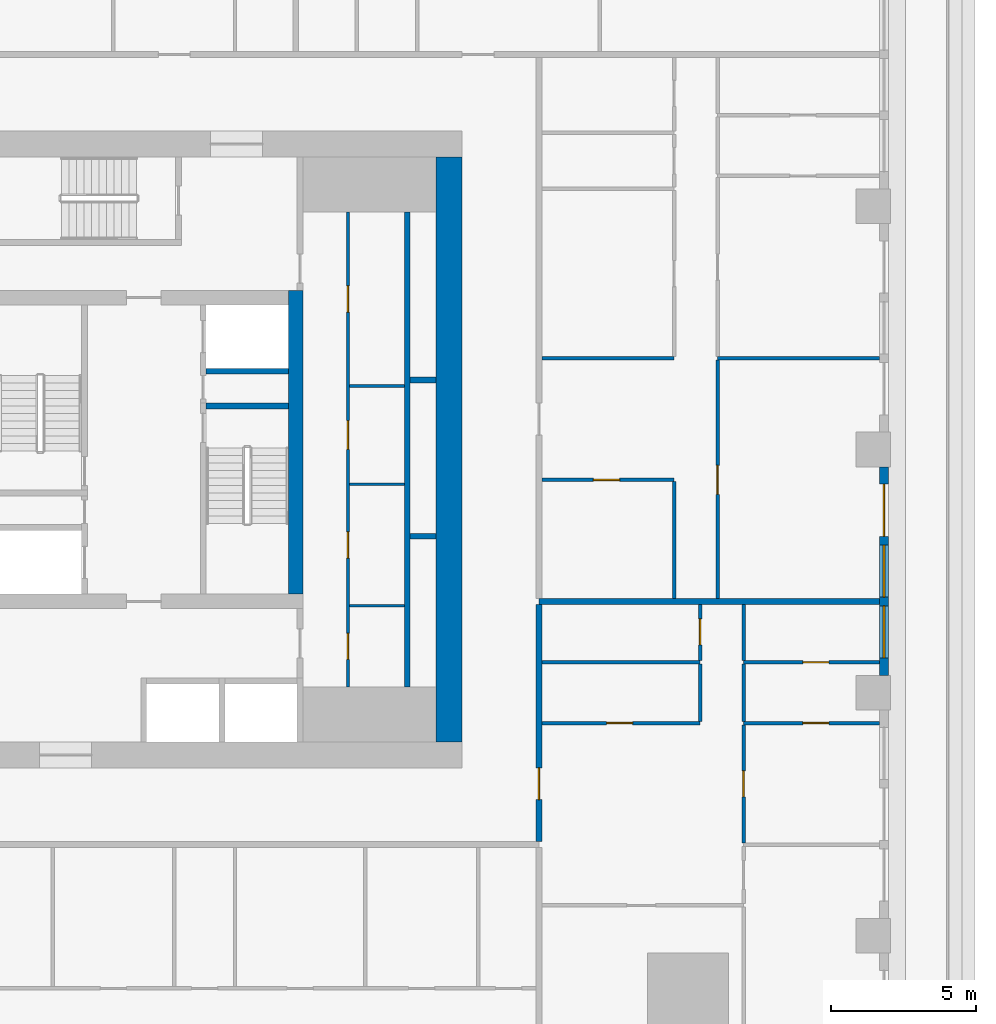
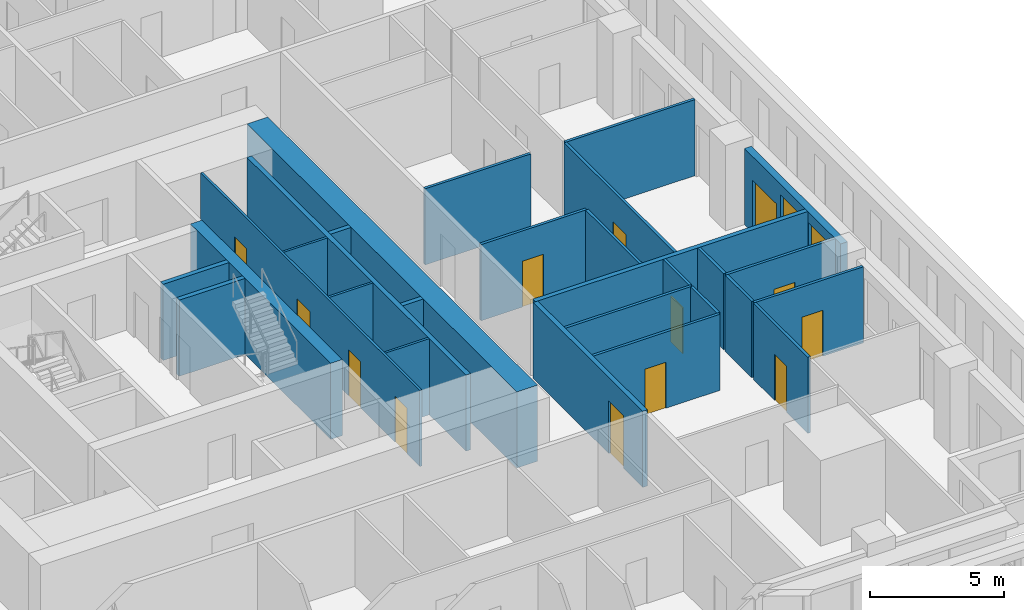
# One storey, part 6 of 16: 28 walls, 13 doors, 2 windows, 15 openings.
"""IFC4 building model written with IfcOpenShell, lengths in metres."""

from ifc_helpers import new_model, si_unit, direction, frame, frame_2d, origin, place, context, subcontext, project, spatial, rectangle, extrude, material, layer, layer_set, type_object, element, fill, save


model = new_model("IFC4")

# Units and contexts
model_context = context("Model", 3, precision=1e-05, world=origin(), true_north=direction((0.0, 1.0)))
body_context = subcontext(model_context, "Body", "Model", "MODEL_VIEW")
ifc_project = project(units=[si_unit("LENGTHUNIT", "METRE"), si_unit("AREAUNIT", "SQUARE_METRE"), si_unit("VOLUMEUNIT", "CUBIC_METRE"), si_unit("PLANEANGLEUNIT", "RADIAN"), si_unit("MASSUNIT", "GRAM", prefix="KILO")], contexts=[model_context])

# Site, building, storey
site_placement = place(None, origin())
site = spatial("IfcSite", under=ifc_project, at=site_placement, CompositionType="ELEMENT")
building_placement = place(site_placement, origin())
building = spatial("IfcBuilding", under=site, at=building_placement, Name="Khepri Terraces", CompositionType="ELEMENT")
storey_placement = place(building_placement, frame((0.0, 0.0, 79.199951171875)))
storey = spatial("IfcBuildingStorey", under=building, at=storey_placement, Name="L18", CompositionType="ELEMENT", Elevation=79.199951171875)

# Walls
ifc_material_1 = material(Name="Concrete C70/85", Category="concrete")
ifc_layer_1 = layer(ifc_material_1, 0.199951171875, Name="Concrete C70/85", Category="concrete")
ifc_layer_set_1 = layer_set([ifc_layer_1], Name="Concrete C70/85")
wall_type_1 = type_object("IfcWallType", Name="Core wall 200 C70/85", PredefinedType="SHEAR", material=ifc_layer_set_1)
wall_1_placement = place(storey_placement, frame((2.14990234375, 1.5, 0.0), z_axis=(0.0, 0.0, 1.0), x_axis=(1.0, 0.0, 0.0)))
element("IfcWall", 1, at=wall_1_placement, inside=storey, type_object=wall_type_1, Name="Core wall ST04 L18", PredefinedType="SHEAR", context=body_context, shape_type="SweptSolid", body=[
    extrude(rectangle(XDim=2.85009765625, YDim=0.199951171875, at=frame_2d((1.425048828125, 0.0))), origin(), (0.0, 0.0, 1.0), 3.47998046875),
])
wall_2_placement = place(storey_placement, frame((9.10009765625, -8.199951171875, 0.0), z_axis=(0.0, 0.0, 1.0), x_axis=(0.0, 1.0, 0.0)))
element("IfcWall", 2, at=wall_2_placement, inside=storey, type_object=wall_type_1, Name="Core wall SH05 L18", PredefinedType="SHEAR", context=body_context, shape_type="SweptSolid", body=[
    extrude(rectangle(XDim=16.39990234375, YDim=0.199951171875, at=frame_2d((8.199951171875, 0.0))), origin(), (0.0, 0.0, 1.0), 3.47998046875),
])
for number, where, z_axis, x_axis, name in (
    (3, (9.199951171875, -3.0, 0.0), (0.0, 0.0, 1.0), (1.0, 0.0, 0.0), "Core wall SH11 L18"),
    (4, (9.199951171875, 2.39990234375, 0.0), (0.0, 0.0, 1.0), (1.0, 0.0, 0.0), "Core wall SH16 L18"),
):
    element("IfcWall", number, at=place(storey_placement, frame(where, z_axis=z_axis, x_axis=x_axis)), inside=storey, type_object=wall_type_1, Name=name, PredefinedType="SHEAR", context=body_context, shape_type="SweptSolid", body=[
        extrude(rectangle(XDim=0.900146484375, YDim=0.199951171875, at=frame_2d((0.4501953125, 0.0))), origin(), (0.0, 0.0, 1.0), 3.47998046875),
    ])
wall_3_placement = place(storey_placement, frame((2.14990234375, 2.699951171875, 0.0), z_axis=(0.0, 0.0, 1.0), x_axis=(1.0, 0.0, 0.0)))
element("IfcWall", 5, at=wall_3_placement, inside=storey, type_object=wall_type_1, Name="Core wall SH18 L18", PredefinedType="SHEAR", context=body_context, shape_type="SweptSolid", body=[
    extrude(rectangle(XDim=2.85009765625, YDim=0.199951171875, at=frame_2d((1.425048828125, 0.0))), origin(), (0.0, 0.0, 1.0), 3.47998046875),
])
ifc_layer_2 = layer(ifc_material_1, 0.5, Name="Concrete C70/85", Category="concrete")
ifc_layer_set_2 = layer_set([ifc_layer_2], Name="Concrete C70/85")
wall_type_2 = type_object("IfcWallType", Name="Core wall 500 C70/85", PredefinedType="SHEAR", material=ifc_layer_set_2)
wall_4_placement = place(storey_placement, frame((5.25, -5.0, 0.0), z_axis=(0.0, 0.0, 1.0), x_axis=(0.0, 1.0, 0.0)))
element("IfcWall", 6, at=wall_4_placement, inside=storey, type_object=wall_type_2, Name="Core wall BX03 L18", PredefinedType="SHEAR", context=body_context, shape_type="SweptSolid", body=[
    extrude(rectangle(XDim=10.5, YDim=0.5, at=frame_2d((5.25, 0.0))), origin(), (0.0, 0.0, 1.0), 3.47998046875),
])
ifc_layer_3 = layer(ifc_material_1, 0.89990234375, Name="Concrete C70/85", Category="concrete")
ifc_layer_set_3 = layer_set([ifc_layer_3], Name="Concrete C70/85")
wall_type_3 = type_object("IfcWallType", Name="Core wall 900 C70/85", PredefinedType="SHEAR", material=ifc_layer_set_3)
wall_5_placement = place(storey_placement, frame((10.550048828125, -10.10009765625, 0.0), z_axis=(0.0, 0.0, 1.0), x_axis=(0.0, 1.0, 0.0)))
element("IfcWall", 7, at=wall_5_placement, inside=storey, type_object=wall_type_3, Name="Core wall OW-E L18", PredefinedType="SHEAR", context=body_context, shape_type="SweptSolid", body=[
    extrude(rectangle(XDim=20.2001953125, YDim=0.89990234375, at=frame_2d((10.10009765625, 0.0))), origin(), (0.0, 0.0, 1.0), 3.47998046875),
])

# Wall, openings, doors
ifc_material_2 = material(Name="Fire-rated gypsum board partition")
ifc_layer_4 = layer(ifc_material_2, 0.10009765625, Name="Fire-rated gypsum board partition")
ifc_layer_set_4 = layer_set([ifc_layer_4], Name="Fire-rated gypsum board partition")
wall_type_4 = type_object("IfcWallType", Name="WL-CORE-PART-100", PredefinedType="PARTITIONING", material=ifc_layer_set_4)
wall_6_placement = place(storey_placement, frame((7.050048828125, -8.199951171875, 0.0), z_axis=(0.0, 0.0, 1.0), x_axis=(0.0, 1.0, 0.0)))
wall_6 = element("IfcWall", 8, at=wall_6_placement, inside=storey, type_object=wall_type_4, Name="Core partition PT02 L18", PredefinedType="PARTITIONING", context=body_context, shape_type="SweptSolid", body=[
    extrude(rectangle(XDim=16.39990234375, YDim=0.10009765625, at=frame_2d((8.199951171875, 0.0))), origin(), (0.0, 0.0, 1.0), 3.47998046875),
])
opening_1_placement = place(wall_6_placement, frame((0.949951171875, 0.0, 0.0)))
opening_1 = element("IfcOpeningElement", 9, at=opening_1_placement, cuts=wall_6, Name="Opening L18-C22", PredefinedType="OPENING", context=body_context, shape_type="SweptSolid", body=[
    extrude(rectangle(XDim=0.89990234375, YDim=2.10009765625, at=frame_2d((0.449951171875, 1.050048828125))), frame((0.0, 0.06005859375, 0.0), z_axis=(0.0, -1.0, 0.0), x_axis=(1.0, 0.0, 0.0)), (0.0, 0.0, 1.0), 0.1201171875),
])
opening_2_placement = place(wall_6_placement, frame((4.449951171875, 0.0, 0.0)))
opening_2 = element("IfcOpeningElement", 10, at=opening_2_placement, cuts=wall_6, Name="Opening L18-C23", PredefinedType="OPENING", context=body_context, shape_type="SweptSolid", body=[
    extrude(rectangle(XDim=0.89990234375, YDim=2.10009765625, at=frame_2d((0.449951171875, 1.050048828125))), frame((0.0, 0.06005859375, 0.0), z_axis=(0.0, -1.0, 0.0), x_axis=(1.0, 0.0, 0.0)), (0.0, 0.0, 1.0), 0.1201171875),
])
opening_3_placement = place(wall_6_placement, frame((8.199951171875, 0.0, 0.0)))
opening_3 = element("IfcOpeningElement", 11, at=opening_3_placement, cuts=wall_6, Name="Opening L18-C24", PredefinedType="OPENING", context=body_context, shape_type="SweptSolid", body=[
    extrude(rectangle(XDim=1.0, YDim=2.10009765625, at=frame_2d((0.5, 1.050048828125))), frame((0.0, 0.06005859375, 0.0), z_axis=(0.0, -1.0, 0.0), x_axis=(1.0, 0.0, 0.0)), (0.0, 0.0, 1.0), 0.1201171875),
])
opening_4_placement = place(wall_6_placement, frame((12.949951171875, 0.0, 0.0)))
opening_4 = element("IfcOpeningElement", 12, at=opening_4_placement, cuts=wall_6, Name="Opening L18-C25", PredefinedType="OPENING", context=body_context, shape_type="SweptSolid", body=[
    extrude(rectangle(XDim=0.89990234375, YDim=2.10009765625, at=frame_2d((0.449951171875, 1.050048828125))), frame((0.0, 0.06005859375, 0.0), z_axis=(0.0, -1.0, 0.0), x_axis=(1.0, 0.0, 0.0)), (0.0, 0.0, 1.0), 0.1201171875),
])
ifc_material_3 = material(Name="Painted steel", Category="steel")
door_type_1 = type_object("IfcDoorType", Name="DR-CORE-SERVICE-900", OperationType="NOTDEFINED", PredefinedType="DOOR", material=ifc_material_3)
door_1_placement = place(opening_1_placement, frame((0.89990234375, 0.0, 0.0), z_axis=(0.0, 0.0, 1.0), x_axis=(-1.0, 0.0, 0.0)))
door_1 = element("IfcDoor", 13, at=door_1_placement, inside=storey, type_object=door_type_1, Name="Service room door L18-C22", OperationType="SINGLE_SWING_RIGHT", OverallHeight=2.10009765625, OverallWidth=0.89990234375, PredefinedType="DOOR", context=body_context, shape_type="SweptSolid", body=[
    extrude(rectangle(XDim=0.89990234375, YDim=2.10009765625, at=frame_2d((0.449951171875, 1.050048828125))), frame((0.0, 0.02490234375, 0.0), z_axis=(0.0, -1.0, 0.0), x_axis=(1.0, 0.0, 0.0)), (0.0, 0.0, 1.0), 0.050048828125),
])
fill(opening_1, door_1)
door_2_placement = place(opening_2_placement, frame((0.89990234375, 0.0, 0.0), z_axis=(0.0, 0.0, 1.0), x_axis=(-1.0, 0.0, 0.0)))
door_2 = element("IfcDoor", 14, at=door_2_placement, inside=storey, type_object=door_type_1, Name="Service room door L18-C23", OperationType="SINGLE_SWING_RIGHT", OverallHeight=2.10009765625, OverallWidth=0.89990234375, PredefinedType="DOOR", context=body_context, shape_type="SweptSolid", body=[
    extrude(rectangle(XDim=0.89990234375, YDim=2.10009765625, at=frame_2d((0.449951171875, 1.050048828125))), frame((0.0, 0.02490234375, 0.0), z_axis=(0.0, -1.0, 0.0), x_axis=(1.0, 0.0, 0.0)), (0.0, 0.0, 1.0), 0.050048828125),
])
fill(opening_2, door_2)
door_3_placement = place(opening_4_placement, frame((0.89990234375, 0.0, 0.0), z_axis=(0.0, 0.0, 1.0), x_axis=(-1.0, 0.0, 0.0)))
door_3 = element("IfcDoor", 15, at=door_3_placement, inside=storey, type_object=door_type_1, Name="Service room door L18-C25", OperationType="SINGLE_SWING_LEFT", OverallHeight=2.10009765625, OverallWidth=0.89990234375, PredefinedType="DOOR", context=body_context, shape_type="SweptSolid", body=[
    extrude(rectangle(XDim=0.89990234375, YDim=2.10009765625, at=frame_2d((0.449951171875, 1.050048828125))), frame((0.0, 0.02490234375, 0.0), z_axis=(0.0, -1.0, 0.0), x_axis=(1.0, 0.0, 0.0)), (0.0, 0.0, 1.0), 0.050048828125),
])
fill(opening_4, door_3)
ifc_material_4 = material(Name="Timber veneer", Category="wood")
door_type_2 = type_object("IfcDoorType", Name="DR-CORE-WC-1000", OperationType="NOTDEFINED", PredefinedType="DOOR", material=ifc_material_4)
door_4_placement = place(opening_3_placement, frame((1.0, 0.0, 0.0), z_axis=(0.0, 0.0, 1.0), x_axis=(-1.0, 0.0, 0.0)))
door_4 = element("IfcDoor", 16, at=door_4_placement, inside=storey, type_object=door_type_2, Name="WC door L18-C24", OperationType="SINGLE_SWING_LEFT", OverallHeight=2.10009765625, OverallWidth=1.0, PredefinedType="DOOR", context=body_context, shape_type="SweptSolid", body=[
    extrude(rectangle(XDim=1.0, YDim=2.10009765625, at=frame_2d((0.5, 1.050048828125))), frame((0.0, 0.02490234375, 0.0), z_axis=(0.0, -1.0, 0.0), x_axis=(1.0, 0.0, 0.0)), (0.0, 0.0, 1.0), 0.050048828125),
])
fill(opening_3, door_4)

# Walls
for number, where, z_axis, x_axis, name in (
    (17, (7.10009765625, -5.39990234375, 0.0), (0.0, 0.0, 1.0), (1.0, 0.0, 0.0), "Core partition PT04 L18"),
    (18, (7.10009765625, -1.199951171875, 0.0), (0.0, 0.0, 1.0), (1.0, 0.0, 0.0), "Core partition PT05 L18"),
    (19, (7.10009765625, 2.199951171875, 0.0), (0.0, 0.0, 1.0), (1.0, 0.0, 0.0), "Core partition PT06 L18"),
):
    element("IfcWall", number, at=place(storey_placement, frame(where, z_axis=z_axis, x_axis=x_axis)), inside=storey, type_object=wall_type_4, Name=name, PredefinedType="PARTITIONING", context=body_context, shape_type="SweptSolid", body=[
        extrude(rectangle(XDim=1.89990234375, YDim=0.10009765625, at=frame_2d((0.949951171875, 0.0))), origin(), (0.0, 0.0, 1.0), 3.47998046875),
    ])

# Wall, opening, door
ifc_material_5 = material(Name="Fire-rated gypsum plasterboard partition, mineral wool")
ifc_layer_5 = layer(ifc_material_5, 0.199951171875, Name="Fire-rated gypsum plasterboard partition, mineral wool")
ifc_layer_set_5 = layer_set([ifc_layer_5], Name="Fire-rated gypsum plasterboard partition, mineral wool")
wall_type_5 = type_object("IfcWallType", Name="WL-CORR-200", PredefinedType="PARTITIONING", material=ifc_layer_set_5)
wall_7_placement = place(storey_placement, frame((13.64990234375, -13.550048828125, 0.0), z_axis=(0.0, 0.0, 1.0), x_axis=(0.0, 1.0, 0.0)))
wall_7 = element("IfcWall", 20, at=wall_7_placement, inside=storey, type_object=wall_type_5, Name="Partition P-029 L18", PredefinedType="PARTITIONING", context=body_context, shape_type="SweptSolid", body=[
    extrude(rectangle(XDim=8.199951171875, YDim=0.199951171875, at=frame_2d((4.10009765625, 0.0))), origin(), (0.0, 0.0, 1.0), 3.47998046875),
])
opening_5_placement = place(wall_7_placement, frame((1.449951171875, 0.0, 0.0)))
opening_5 = element("IfcOpeningElement", 21, at=opening_5_placement, cuts=wall_7, Name="Opening D1", PredefinedType="OPENING", context=body_context, shape_type="SweptSolid", body=[
    extrude(rectangle(XDim=1.10009765625, YDim=2.39990234375, at=frame_2d((0.550048828125, 1.199951171875))), frame((0.0, 0.10986328125, 0.0), z_axis=(0.0, -1.0, 0.0), x_axis=(1.0, 0.0, 0.0)), (0.0, 0.0, 1.0), 0.219970703125),
])
ifc_material_6 = material(Name="Solid-core timber door leaf, flat entrance door", Category="wood")
door_type_3 = type_object("IfcDoorType", Name="DR-ENT-1100", OperationType="NOTDEFINED", PredefinedType="DOOR", material=ifc_material_6)
door_5_placement = place(opening_5_placement, frame((1.10009765625, 0.0, 0.0), z_axis=(0.0, 0.0, 1.0), x_axis=(-1.0, 0.0, 0.0)))
door_5 = element("IfcDoor", 22, at=door_5_placement, inside=storey, type_object=door_type_3, Name="Flat B1 entrance door", OperationType="SINGLE_SWING_RIGHT", OverallHeight=2.39990234375, OverallWidth=1.10009765625, PredefinedType="DOOR", context=body_context, shape_type="SweptSolid", body=[
    extrude(rectangle(XDim=1.10009765625, YDim=2.39990234375, at=frame_2d((0.550048828125, 1.199951171875))), frame((0.0, 0.02490234375, 0.0), z_axis=(0.0, -1.0, 0.0), x_axis=(1.0, 0.0, 0.0)), (0.0, 0.0, 1.0), 0.050048828125),
])
fill(opening_5, door_5)

# Wall
wall_8_placement = place(storey_placement, frame((13.64990234375, -5.25, 0.0), z_axis=(0.0, 0.0, 1.0), x_axis=(1.0, 0.0, 0.0)))
element("IfcWall", 23, at=wall_8_placement, inside=storey, type_object=wall_type_5, Name="Partition P-046 L18", PredefinedType="PARTITIONING", context=body_context, shape_type="SweptSolid", body=[
    extrude(rectangle(XDim=11.77001953125, YDim=0.199951171875, at=frame_2d((5.885009765625, 0.0))), origin(), (0.0, 0.0, 1.0), 3.47998046875),
])

# Wall, openings, door, windows
ifc_material_7 = material(Name="Precast concrete C50/60 warm stone", Category="masonry")
ifc_layer_6 = layer(ifc_material_7, 0.300048828125, Name="Precast concrete C50/60 warm stone", Category="masonry")
ifc_layer_set_6 = layer_set([ifc_layer_6], Name="Precast concrete C50/60 warm stone")
wall_type_6 = type_object("IfcWallType", Name="WL-EXT-PRECAST-300", PredefinedType="STANDARD", material=ifc_layer_set_6)
wall_9_placement = place(storey_placement, frame((25.570068359375, -7.800048828125, 0.0), z_axis=(0.0, 0.0, 1.0), x_axis=(0.0, 1.0, 0.0)))
wall_9 = element("IfcWall", 24, at=wall_9_placement, inside=storey, type_object=wall_type_6, Name="External wall L18 E", PredefinedType="STANDARD", context=body_context, shape_type="SweptSolid", body=[
    extrude(rectangle(XDim=7.199951171875, YDim=0.300048828125, at=frame_2d((3.60009765625, 0.0))), origin(), (0.0, 0.0, 1.0), 3.47998046875),
])
opening_6_placement = place(wall_9_placement, frame((0.60009765625, 0.0, 0.89990234375)))
opening_6 = element("IfcOpeningElement", 25, at=opening_6_placement, cuts=wall_9, Name="Opening W1", PredefinedType="OPENING", context=body_context, shape_type="SweptSolid", body=[
    extrude(rectangle(XDim=1.800048828125, YDim=2.10009765625, at=frame_2d((0.89990234375, 1.050048828125))), frame((0.0, 0.16015625, 0.0), z_axis=(0.0, -1.0, 0.0), x_axis=(1.0, 0.0, 0.0)), (0.0, 0.0, 1.0), 0.320068359375),
])
opening_7_placement = place(wall_9_placement, frame((2.699951171875, 0.0, 0.89990234375)))
opening_7 = element("IfcOpeningElement", 26, at=opening_7_placement, cuts=wall_9, Name="Opening W1", PredefinedType="OPENING", context=body_context, shape_type="SweptSolid", body=[
    extrude(rectangle(XDim=1.800048828125, YDim=2.10009765625, at=frame_2d((0.89990234375, 1.050048828125))), frame((0.0, 0.16015625, 0.0), z_axis=(0.0, -1.0, 0.0), x_axis=(1.0, 0.0, 0.0)), (0.0, 0.0, 1.0), 0.320068359375),
])
opening_8_placement = place(wall_9_placement, frame((4.800048828125, 0.0, 0.0)))
opening_8 = element("IfcOpeningElement", 27, at=opening_8_placement, cuts=wall_9, Name="Opening ED-L18-04", PredefinedType="OPENING", context=body_context, shape_type="SweptSolid", body=[
    extrude(rectangle(XDim=1.800048828125, YDim=2.39990234375, at=frame_2d((0.89990234375, 1.199951171875))), frame((0.0, 0.16015625, 0.0), z_axis=(0.0, -1.0, 0.0), x_axis=(1.0, 0.0, 0.0)), (0.0, 0.0, 1.0), 0.320068359375),
])
ifc_material_8 = material(Name="Anodised aluminium bronze glazed door", Category="aluminium")
door_type_4 = type_object("IfcDoorType", Name="DR-BAL-SLIDE-1800x2400", OperationType="NOTDEFINED", PredefinedType="DOOR", material=ifc_material_8)
door_6_placement = place(opening_8_placement, origin())
door_6 = element("IfcDoor", 28, at=door_6_placement, inside=storey, type_object=door_type_4, Name="Balcony door L18 E", OperationType="SLIDING_TO_RIGHT", OverallHeight=2.39990234375, OverallWidth=1.800048828125, PredefinedType="DOOR", context=body_context, shape_type="SweptSolid", body=[
    extrude(rectangle(XDim=1.800048828125, YDim=2.39990234375, at=frame_2d((0.89990234375, 1.199951171875))), frame((0.0, 0.02490234375, 0.0), z_axis=(0.0, -1.0, 0.0), x_axis=(1.0, 0.0, 0.0)), (0.0, 0.0, 1.0), 0.050048828125),
])
fill(opening_8, door_6)
ifc_material_9 = material(Name="Clear glass", Category="glass")
window_type = type_object("IfcWindowType", Name="WIN-RES-1800x2100", PartitioningType="SINGLE_PANEL", PredefinedType="WINDOW", material=ifc_material_9)
window_1_placement = place(opening_6_placement, origin())
window_1 = element("IfcWindow", 29, at=window_1_placement, inside=storey, type_object=window_type, Name="Window L18 E", OverallHeight=2.10009765625, OverallWidth=1.800048828125, PartitioningType="SINGLE_PANEL", PredefinedType="WINDOW", context=body_context, shape_type="SweptSolid", body=[
    extrude(rectangle(XDim=1.800048828125, YDim=2.10009765625, at=frame_2d((0.89990234375, 1.050048828125))), frame((0.0, 0.030029296875, 0.0), z_axis=(0.0, -1.0, 0.0), x_axis=(1.0, 0.0, 0.0)), (0.0, 0.0, 1.0), 0.06005859375),
])
fill(opening_6, window_1)
window_2_placement = place(opening_7_placement, origin())
window_2 = element("IfcWindow", 30, at=window_2_placement, inside=storey, type_object=window_type, Name="Window L18 E", OverallHeight=2.10009765625, OverallWidth=1.800048828125, PartitioningType="SINGLE_PANEL", PredefinedType="WINDOW", context=body_context, shape_type="SweptSolid", body=[
    extrude(rectangle(XDim=1.800048828125, YDim=2.10009765625, at=frame_2d((0.89990234375, 1.050048828125))), frame((0.0, 0.030029296875, 0.0), z_axis=(0.0, -1.0, 0.0), x_axis=(1.0, 0.0, 0.0)), (0.0, 0.0, 1.0), 0.06005859375),
])
fill(opening_7, window_2)

# Wall, opening, door
ifc_material_10 = material(Name="Gypsum plasterboard partition")
ifc_layer_7 = layer(ifc_material_10, 0.1201171875, Name="Gypsum plasterboard partition")
ifc_layer_set_7 = layer_set([ifc_layer_7], Name="Gypsum plasterboard partition")
wall_type_7 = type_object("IfcWallType", Name="WL-PART-120", PredefinedType="PARTITIONING", material=ifc_layer_set_7)
wall_10_placement = place(storey_placement, frame((20.719970703125, -13.590087890625, 0.0), z_axis=(0.0, 0.0, 1.0), x_axis=(0.0, 1.0, 0.0)))
wall_10 = element("IfcWall", 31, at=wall_10_placement, inside=storey, type_object=wall_type_7, Name="Partition P-025 L18", PredefinedType="PARTITIONING", context=body_context, shape_type="SweptSolid", body=[
    extrude(rectangle(XDim=4.080078125, YDim=0.1201171875, at=frame_2d((2.0400390625, 0.0))), origin(), (0.0, 0.0, 1.0), 3.47998046875),
])
opening_9_placement = place(wall_10_placement, frame((1.590087890625, 0.0, 0.0)))
opening_9 = element("IfcOpeningElement", 32, at=opening_9_placement, cuts=wall_10, Name="Opening D3", PredefinedType="OPENING", context=body_context, shape_type="SweptSolid", body=[
    extrude(rectangle(XDim=0.89990234375, YDim=2.10009765625, at=frame_2d((0.449951171875, 1.050048828125))), frame((0.0, 0.070068359375, 0.0), z_axis=(0.0, -1.0, 0.0), x_axis=(1.0, 0.0, 0.0)), (0.0, 0.0, 1.0), 0.14013671875),
])
ifc_material_11 = material(Name="Timber door leaf", Category="wood")
door_type_5 = type_object("IfcDoorType", Name="DR-INT-900", OperationType="NOTDEFINED", PredefinedType="DOOR", material=ifc_material_11)
door_7_placement = place(opening_9_placement, frame((0.89990234375, 0.0, 0.0), z_axis=(0.0, 0.0, 1.0), x_axis=(-1.0, 0.0, 0.0)))
door_7 = element("IfcDoor", 33, at=door_7_placement, inside=storey, type_object=door_type_5, Name="Door Master Bedroom", OperationType="SINGLE_SWING_RIGHT", OverallHeight=2.10009765625, OverallWidth=0.89990234375, PredefinedType="DOOR", context=body_context, shape_type="SweptSolid", body=[
    extrude(rectangle(XDim=0.89990234375, YDim=2.10009765625, at=frame_2d((0.449951171875, 1.050048828125))), frame((0.0, 0.02490234375, 0.0), z_axis=(0.0, -1.0, 0.0), x_axis=(1.0, 0.0, 0.0)), (0.0, 0.0, 1.0), 0.050048828125),
])
fill(opening_9, door_7)

wall_11_placement = place(storey_placement, frame((13.75, -9.449951171875, 0.0), z_axis=(0.0, 0.0, 1.0), x_axis=(1.0, 0.0, 0.0)))
wall_11 = element("IfcWall", 34, at=wall_11_placement, inside=storey, type_object=wall_type_7, Name="Partition P-035 L18", PredefinedType="PARTITIONING", context=body_context, shape_type="SweptSolid", body=[
    extrude(rectangle(XDim=5.469970703125, YDim=0.1201171875, at=frame_2d((2.73486328125, 0.0))), origin(), (0.0, 0.0, 1.0), 3.47998046875),
])
opening_10_placement = place(wall_11_placement, frame((2.235107421875, 0.0, 0.0)))
opening_10 = element("IfcOpeningElement", 35, at=opening_10_placement, cuts=wall_11, Name="Opening D4", PredefinedType="OPENING", context=body_context, shape_type="SweptSolid", body=[
    extrude(rectangle(XDim=0.89990234375, YDim=2.10009765625, at=frame_2d((0.449951171875, 1.050048828125))), frame((0.0, 0.070068359375, 0.0), z_axis=(0.0, -1.0, 0.0), x_axis=(1.0, 0.0, 0.0)), (0.0, 0.0, 1.0), 0.14013671875),
])
ifc_material_12 = material(Name="Timber door leaf, moisture resistant", Category="wood")
door_type_6 = type_object("IfcDoorType", Name="DR-WET-900", OperationType="NOTDEFINED", PredefinedType="DOOR", material=ifc_material_12)
door_8_placement = place(opening_10_placement, origin())
door_8 = element("IfcDoor", 36, at=door_8_placement, inside=storey, type_object=door_type_6, Name="Door Guest Bathroom", OperationType="SINGLE_SWING_LEFT", OverallHeight=2.10009765625, OverallWidth=0.89990234375, PredefinedType="DOOR", context=body_context, shape_type="SweptSolid", body=[
    extrude(rectangle(XDim=0.89990234375, YDim=2.10009765625, at=frame_2d((0.449951171875, 1.050048828125))), frame((0.0, 0.02490234375, 0.0), z_axis=(0.0, -1.0, 0.0), x_axis=(1.0, 0.0, 0.0)), (0.0, 0.0, 1.0), 0.050048828125),
])
fill(opening_10, door_8)

wall_12_placement = place(storey_placement, frame((20.719970703125, -9.449951171875, 0.0), z_axis=(0.0, 0.0, 1.0), x_axis=(1.0, 0.0, 0.0)))
wall_12 = element("IfcWall", 37, at=wall_12_placement, inside=storey, type_object=wall_type_7, Name="Partition P-036 L18", PredefinedType="PARTITIONING", context=body_context, shape_type="SweptSolid", body=[
    extrude(rectangle(XDim=4.699951171875, YDim=0.1201171875, at=frame_2d((2.35009765625, 0.0))), origin(), (0.0, 0.0, 1.0), 3.47998046875),
])
opening_11_placement = place(wall_12_placement, frame((2.050048828125, 0.0, 0.0)))
opening_11 = element("IfcOpeningElement", 38, at=opening_11_placement, cuts=wall_12, Name="Opening D3", PredefinedType="OPENING", context=body_context, shape_type="SweptSolid", body=[
    extrude(rectangle(XDim=0.89990234375, YDim=2.10009765625, at=frame_2d((0.449951171875, 1.050048828125))), frame((0.0, 0.070068359375, 0.0), z_axis=(0.0, -1.0, 0.0), x_axis=(1.0, 0.0, 0.0)), (0.0, 0.0, 1.0), 0.14013671875),
])
door_9_placement = place(opening_11_placement, origin())
door_9 = element("IfcDoor", 39, at=door_9_placement, inside=storey, type_object=door_type_5, Name="Door Dressing Room", OperationType="SINGLE_SWING_RIGHT", OverallHeight=2.10009765625, OverallWidth=0.89990234375, PredefinedType="DOOR", context=body_context, shape_type="SweptSolid", body=[
    extrude(rectangle(XDim=0.89990234375, YDim=2.10009765625, at=frame_2d((0.449951171875, 1.050048828125))), frame((0.0, 0.02490234375, 0.0), z_axis=(0.0, -1.0, 0.0), x_axis=(1.0, 0.0, 0.0)), (0.0, 0.0, 1.0), 0.050048828125),
])
fill(opening_11, door_9)

# Walls
for number, where, z_axis, x_axis, name in (
    (40, (19.219970703125, -9.389892578125, 0.0), (0.0, 0.0, 1.0), (0.0, 1.0, 0.0), "Partition P-038 L18"),
    (41, (20.719970703125, -9.389892578125, 0.0), (0.0, 0.0, 1.0), (0.0, 1.0, 0.0), "Partition P-039 L18"),
):
    element("IfcWall", number, at=place(storey_placement, frame(where, z_axis=z_axis, x_axis=x_axis)), inside=storey, type_object=wall_type_7, Name=name, PredefinedType="PARTITIONING", context=body_context, shape_type="SweptSolid", body=[
        extrude(rectangle(XDim=1.97998046875, YDim=0.1201171875, at=frame_2d((0.989990234375, 0.0))), origin(), (0.0, 0.0, 1.0), 3.47998046875),
    ])
wall_13_placement = place(storey_placement, frame((13.75, -7.35009765625, 0.0), z_axis=(0.0, 0.0, 1.0), x_axis=(1.0, 0.0, 0.0)))
element("IfcWall", 42, at=wall_13_placement, inside=storey, type_object=wall_type_7, Name="Partition P-041 L18", PredefinedType="PARTITIONING", context=body_context, shape_type="SweptSolid", body=[
    extrude(rectangle(XDim=5.469970703125, YDim=0.1201171875, at=frame_2d((2.73486328125, 0.0))), origin(), (0.0, 0.0, 1.0), 3.47998046875),
])

# Wall, opening, door
wall_14_placement = place(storey_placement, frame((20.719970703125, -7.35009765625, 0.0), z_axis=(0.0, 0.0, 1.0), x_axis=(1.0, 0.0, 0.0)))
wall_14 = element("IfcWall", 43, at=wall_14_placement, inside=storey, type_object=wall_type_7, Name="Partition P-042 L18", PredefinedType="PARTITIONING", context=body_context, shape_type="SweptSolid", body=[
    extrude(rectangle(XDim=4.699951171875, YDim=0.1201171875, at=frame_2d((2.35009765625, 0.0))), origin(), (0.0, 0.0, 1.0), 3.47998046875),
])
opening_12_placement = place(wall_14_placement, frame((2.050048828125, 0.0, 0.0)))
opening_12 = element("IfcOpeningElement", 44, at=opening_12_placement, cuts=wall_14, Name="Opening D4", PredefinedType="OPENING", context=body_context, shape_type="SweptSolid", body=[
    extrude(rectangle(XDim=0.89990234375, YDim=2.10009765625, at=frame_2d((0.449951171875, 1.050048828125))), frame((0.0, 0.070068359375, 0.0), z_axis=(0.0, -1.0, 0.0), x_axis=(1.0, 0.0, 0.0)), (0.0, 0.0, 1.0), 0.14013671875),
])
door_10_placement = place(opening_12_placement, origin())
door_10 = element("IfcDoor", 45, at=door_10_placement, inside=storey, type_object=door_type_6, Name="Door Bathroom", OperationType="SINGLE_SWING_RIGHT", OverallHeight=2.10009765625, OverallWidth=0.89990234375, PredefinedType="DOOR", context=body_context, shape_type="SweptSolid", body=[
    extrude(rectangle(XDim=0.89990234375, YDim=2.10009765625, at=frame_2d((0.449951171875, 1.050048828125))), frame((0.0, 0.02490234375, 0.0), z_axis=(0.0, -1.0, 0.0), x_axis=(1.0, 0.0, 0.0)), (0.0, 0.0, 1.0), 0.050048828125),
])
fill(opening_12, door_10)

wall_15_placement = place(storey_placement, frame((19.219970703125, -7.2900390625, 0.0), z_axis=(0.0, 0.0, 1.0), x_axis=(0.0, 1.0, 0.0)))
wall_15 = element("IfcWall", 46, at=wall_15_placement, inside=storey, type_object=wall_type_7, Name="Partition P-044 L18", PredefinedType="PARTITIONING", context=body_context, shape_type="SweptSolid", body=[
    extrude(rectangle(XDim=1.93994140625, YDim=0.1201171875, at=frame_2d((0.969970703125, 0.0))), origin(), (0.0, 0.0, 1.0), 3.47998046875),
])
opening_13_placement = place(wall_15_placement, frame((0.5400390625, 0.0, 0.0)))
opening_13 = element("IfcOpeningElement", 47, at=opening_13_placement, cuts=wall_15, Name="Opening D3", PredefinedType="OPENING", context=body_context, shape_type="SweptSolid", body=[
    extrude(rectangle(XDim=0.89990234375, YDim=2.10009765625, at=frame_2d((0.449951171875, 1.050048828125))), frame((0.0, 0.070068359375, 0.0), z_axis=(0.0, -1.0, 0.0), x_axis=(1.0, 0.0, 0.0)), (0.0, 0.0, 1.0), 0.14013671875),
])
door_11_placement = place(opening_13_placement, origin())
door_11 = element("IfcDoor", 48, at=door_11_placement, inside=storey, type_object=door_type_5, Name="Door Kitchen", OperationType="SINGLE_SWING_RIGHT", OverallHeight=2.10009765625, OverallWidth=0.89990234375, PredefinedType="DOOR", context=body_context, shape_type="SweptSolid", body=[
    extrude(rectangle(XDim=0.89990234375, YDim=2.10009765625, at=frame_2d((0.449951171875, 1.050048828125))), frame((0.0, 0.02490234375, 0.0), z_axis=(0.0, -1.0, 0.0), x_axis=(1.0, 0.0, 0.0)), (0.0, 0.0, 1.0), 0.050048828125),
])
fill(opening_13, door_11)

# Walls
wall_16_placement = place(storey_placement, frame((20.719970703125, -7.2900390625, 0.0), z_axis=(0.0, 0.0, 1.0), x_axis=(0.0, 1.0, 0.0)))
element("IfcWall", 49, at=wall_16_placement, inside=storey, type_object=wall_type_7, Name="Partition P-045 L18", PredefinedType="PARTITIONING", context=body_context, shape_type="SweptSolid", body=[
    extrude(rectangle(XDim=1.93994140625, YDim=0.1201171875, at=frame_2d((0.969970703125, 0.0))), origin(), (0.0, 0.0, 1.0), 3.47998046875),
])
wall_17_placement = place(storey_placement, frame((18.320068359375, -5.14990234375, 0.0), z_axis=(0.0, 0.0, 1.0), x_axis=(0.0, 1.0, 0.0)))
element("IfcWall", 50, at=wall_17_placement, inside=storey, type_object=wall_type_7, Name="Partition P-048 L18", PredefinedType="PARTITIONING", context=body_context, shape_type="SweptSolid", body=[
    extrude(rectangle(XDim=4.039794921875, YDim=0.1201171875, at=frame_2d((2.02001953125, 0.0))), origin(), (0.0, 0.0, 1.0), 3.47998046875),
])

# Wall, opening, door
wall_18_placement = place(storey_placement, frame((19.820068359375, -5.14990234375, 0.0), z_axis=(0.0, 0.0, 1.0), x_axis=(0.0, 1.0, 0.0)))
wall_18 = element("IfcWall", 51, at=wall_18_placement, inside=storey, type_object=wall_type_7, Name="Partition P-049 L18", PredefinedType="PARTITIONING", context=body_context, shape_type="SweptSolid", body=[
    extrude(rectangle(XDim=8.239990234375, YDim=0.1201171875, at=frame_2d((4.1201171875, 0.0))), origin(), (0.0, 0.0, 1.0), 3.47998046875),
])
opening_14_placement = place(wall_18_placement, frame((3.60009765625, 0.0, 0.0)))
opening_14 = element("IfcOpeningElement", 52, at=opening_14_placement, cuts=wall_18, Name="Opening D2", PredefinedType="OPENING", context=body_context, shape_type="SweptSolid", body=[
    extrude(rectangle(XDim=1.0, YDim=2.10009765625, at=frame_2d((0.5, 1.050048828125))), frame((0.0, 0.070068359375, 0.0), z_axis=(0.0, -1.0, 0.0), x_axis=(1.0, 0.0, 0.0)), (0.0, 0.0, 1.0), 0.14013671875),
])
ifc_material_13 = material(Name="Timber door leaf, living room door", Category="wood")
door_type_7 = type_object("IfcDoorType", Name="DR-INT-1000", OperationType="NOTDEFINED", PredefinedType="DOOR", material=ifc_material_13)
door_12_placement = place(opening_14_placement, frame((1.0, 0.0, 0.0), z_axis=(0.0, 0.0, 1.0), x_axis=(-1.0, 0.0, 0.0)))
door_12 = element("IfcDoor", 53, at=door_12_placement, inside=storey, type_object=door_type_7, Name="Door Living Room", OperationType="SINGLE_SWING_RIGHT", OverallHeight=2.10009765625, OverallWidth=1.0, PredefinedType="DOOR", context=body_context, shape_type="SweptSolid", body=[
    extrude(rectangle(XDim=1.0, YDim=2.10009765625, at=frame_2d((0.5, 1.050048828125))), frame((0.0, 0.02490234375, 0.0), z_axis=(0.0, -1.0, 0.0), x_axis=(1.0, 0.0, 0.0)), (0.0, 0.0, 1.0), 0.050048828125),
])
fill(opening_14, door_12)

wall_19_placement = place(storey_placement, frame((13.75, -1.050048828125, 0.0), z_axis=(0.0, 0.0, 1.0), x_axis=(1.0, 0.0, 0.0)))
wall_19 = element("IfcWall", 54, at=wall_19_placement, inside=storey, type_object=wall_type_7, Name="Partition P-052 L18", PredefinedType="PARTITIONING", context=body_context, shape_type="SweptSolid", body=[
    extrude(rectangle(XDim=4.570068359375, YDim=0.1201171875, at=frame_2d((2.28515625, 0.0))), origin(), (0.0, 0.0, 1.0), 3.47998046875),
])
opening_15_placement = place(wall_19_placement, frame((1.784912109375, 0.0, 0.0)))
opening_15 = element("IfcOpeningElement", 55, at=opening_15_placement, cuts=wall_19, Name="Opening D3", PredefinedType="OPENING", context=body_context, shape_type="SweptSolid", body=[
    extrude(rectangle(XDim=0.89990234375, YDim=2.10009765625, at=frame_2d((0.449951171875, 1.050048828125))), frame((0.0, 0.070068359375, 0.0), z_axis=(0.0, -1.0, 0.0), x_axis=(1.0, 0.0, 0.0)), (0.0, 0.0, 1.0), 0.14013671875),
])
door_13_placement = place(opening_15_placement, frame((0.89990234375, 0.0, 0.0), z_axis=(0.0, 0.0, 1.0), x_axis=(-1.0, 0.0, 0.0)))
door_13 = element("IfcDoor", 56, at=door_13_placement, inside=storey, type_object=door_type_5, Name="Door Utility Room", OperationType="SINGLE_SWING_RIGHT", OverallHeight=2.10009765625, OverallWidth=0.89990234375, PredefinedType="DOOR", context=body_context, shape_type="SweptSolid", body=[
    extrude(rectangle(XDim=0.89990234375, YDim=2.10009765625, at=frame_2d((0.449951171875, 1.050048828125))), frame((0.0, 0.02490234375, 0.0), z_axis=(0.0, -1.0, 0.0), x_axis=(1.0, 0.0, 0.0)), (0.0, 0.0, 1.0), 0.050048828125),
])
fill(opening_15, door_13)

# Walls
wall_20_placement = place(storey_placement, frame((13.75, 3.14990234375, 0.0), z_axis=(0.0, 0.0, 1.0), x_axis=(1.0, 0.0, 0.0)))
element("IfcWall", 57, at=wall_20_placement, inside=storey, type_object=wall_type_7, Name="Partition P-054 L18", PredefinedType="PARTITIONING", context=body_context, shape_type="SweptSolid", body=[
    extrude(rectangle(XDim=4.570068359375, YDim=0.1201171875, at=frame_2d((2.28515625, 0.0))), origin(), (0.0, 0.0, 1.0), 3.47998046875),
])
wall_21_placement = place(storey_placement, frame((19.820068359375, 3.14990234375, 0.0), z_axis=(0.0, 0.0, 1.0), x_axis=(1.0, 0.0, 0.0)))
element("IfcWall", 58, at=wall_21_placement, inside=storey, type_object=wall_type_7, Name="Partition P-055 L18", PredefinedType="PARTITIONING", context=body_context, shape_type="SweptSolid", body=[
    extrude(rectangle(XDim=5.599853515625, YDim=0.1201171875, at=frame_2d((2.7998046875, 0.0))), origin(), (0.0, 0.0, 1.0), 3.47998046875),
])

save(model, "model.ifc")
